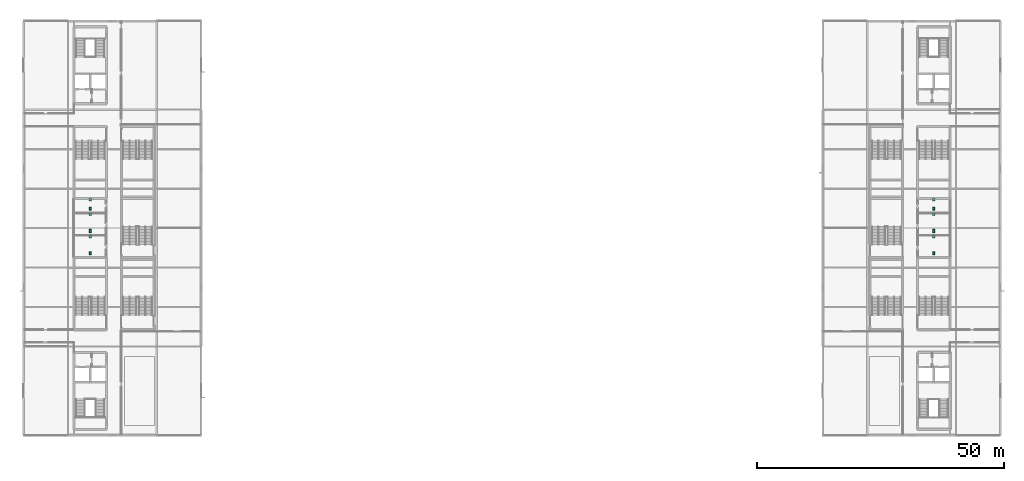
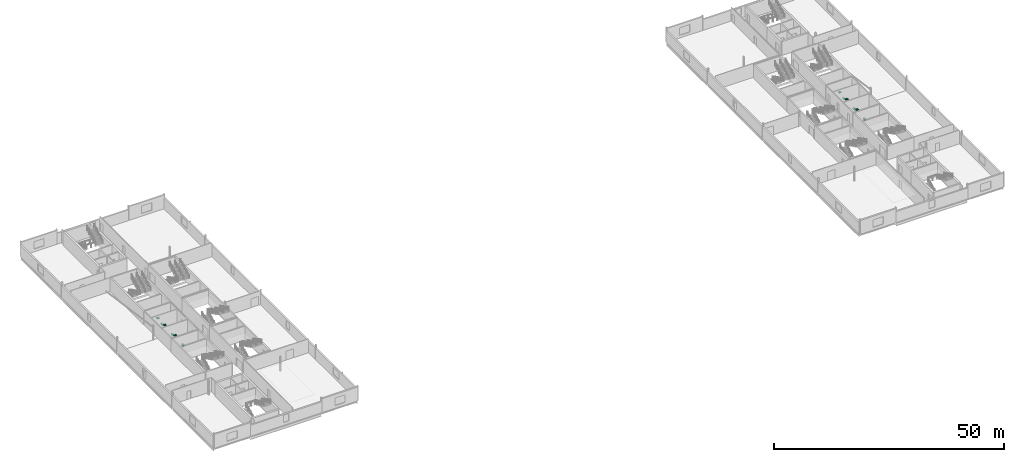
# One storey, part 35 of 35: 12 sanitary terminals.
"""IFC4 building model written with IfcOpenShell, lengths in metres."""

from ifc_helpers import new_model, si_unit, direction, frame, origin, origin_2d, place, context, subcontext, project, spatial, rectangle, extrude, material, type_object, element, save


model = new_model("IFC4")

# Units and contexts
model_context = context("Model", 3, precision=1e-05, world=origin(), true_north=direction((0.0, 1.0)))
body_context = subcontext(model_context, "Body", "Model", "MODEL_VIEW")
ifc_project = project(units=[si_unit("LENGTHUNIT", "METRE"), si_unit("AREAUNIT", "SQUARE_METRE"), si_unit("VOLUMEUNIT", "CUBIC_METRE"), si_unit("PLANEANGLEUNIT", "RADIAN"), si_unit("MASSUNIT", "GRAM", prefix="KILO")], contexts=[model_context])

# Site, building, storey
site_placement = place(None, origin())
site = spatial("IfcSite", under=ifc_project, at=site_placement, CompositionType="ELEMENT")
building_placement = place(site_placement, origin())
building = spatial("IfcBuilding", under=site, at=building_placement, Name="Kisiwana Market Hall", CompositionType="ELEMENT")
storey_placement = place(building_placement, frame((0.0, 0.0, 61.800048828125)))
storey = spatial("IfcBuildingStorey", under=building, at=storey_placement, Name="L14", CompositionType="ELEMENT", Elevation=61.800048828125)

# Sanitary terminals
ifc_material_1 = material(Name="Vitreous china")
sanitary_terminal_type_1 = type_object("IfcSanitaryTerminalType", Name="SAN-BASIN", PredefinedType="WASHHANDBASIN", material=ifc_material_1)
for number, where, z_axis, x_axis, name in (
    (1, (13.5, 58.25, 0.68017578125), (0.0, 0.0, 1.0), (1.0, 0.0, 0.0), "Washhand basin L14-0091"),
    (2, (13.5, 62.75, 0.68017578125), (0.0, 0.0, 1.0), (1.0, 0.0, 0.0), "Washhand basin L14-0092"),
    (3, (13.5, 65.75, 0.68017578125), (0.0, 0.0, 1.0), (1.0, 0.0, 0.0), "Washhand basin L14-0093"),
    (4, (184.5, 58.25, 0.68017578125), (0.0, 0.0, 1.0), (1.0, 0.0, 0.0), "Washhand basin L14-0094"),
    (5, (184.5, 62.75, 0.68017578125), (0.0, 0.0, 1.0), (1.0, 0.0, 0.0), "Washhand basin L14-0095"),
    (6, (184.5, 65.75, 0.68017578125), (0.0, 0.0, 1.0), (1.0, 0.0, 0.0), "Washhand basin L14-0096"),
):
    element("IfcSanitaryTerminal", number, at=place(storey_placement, frame(where, z_axis=z_axis, x_axis=x_axis)), inside=storey, type_object=sanitary_terminal_type_1, Name=name, PredefinedType="WASHHANDBASIN", context=body_context, shape_type="SweptSolid", body=[
        extrude(rectangle(XDim=0.550048828125, YDim=0.449951171875, at=origin_2d()), origin(), (0.0, 0.0, 1.0), 0.199951171875),
    ])
ifc_material_2 = material(Name="Vitreous china")
sanitary_terminal_type_2 = type_object("IfcSanitaryTerminalType", Name="SAN-WC-PAN", PredefinedType="TOILETPAN", material=ifc_material_2)
for number, where, z_axis, x_axis, name in (
    (7, (13.5, 54.89990234375, 0.0), (0.0, 0.0, 1.0), (1.0, 0.0, 0.0), "WC pan L14-0091"),
    (8, (13.5, 59.39990234375, 0.0), (0.0, 0.0, 1.0), (1.0, 0.0, 0.0), "WC pan L14-0092"),
    (9, (13.5, 63.89990234375, 0.0), (0.0, 0.0, 1.0), (1.0, 0.0, 0.0), "WC pan L14-0093"),
    (10, (184.5, 54.89990234375, 0.0), (0.0, 0.0, 1.0), (1.0, 0.0, 0.0), "WC pan L14-0094"),
    (11, (184.5, 59.39990234375, 0.0), (0.0, 0.0, 1.0), (1.0, 0.0, 0.0), "WC pan L14-0095"),
    (12, (184.5, 63.89990234375, 0.0), (0.0, 0.0, 1.0), (1.0, 0.0, 0.0), "WC pan L14-0096"),
):
    element("IfcSanitaryTerminal", number, at=place(storey_placement, frame(where, z_axis=z_axis, x_axis=x_axis)), inside=storey, type_object=sanitary_terminal_type_2, Name=name, PredefinedType="TOILETPAN", context=body_context, shape_type="SweptSolid", body=[
        extrude(rectangle(XDim=0.39990234375, YDim=0.64990234375, at=origin_2d()), origin(), (0.0, 0.0, 1.0), 0.419921875),
    ])

save(model, "model.ifc")
